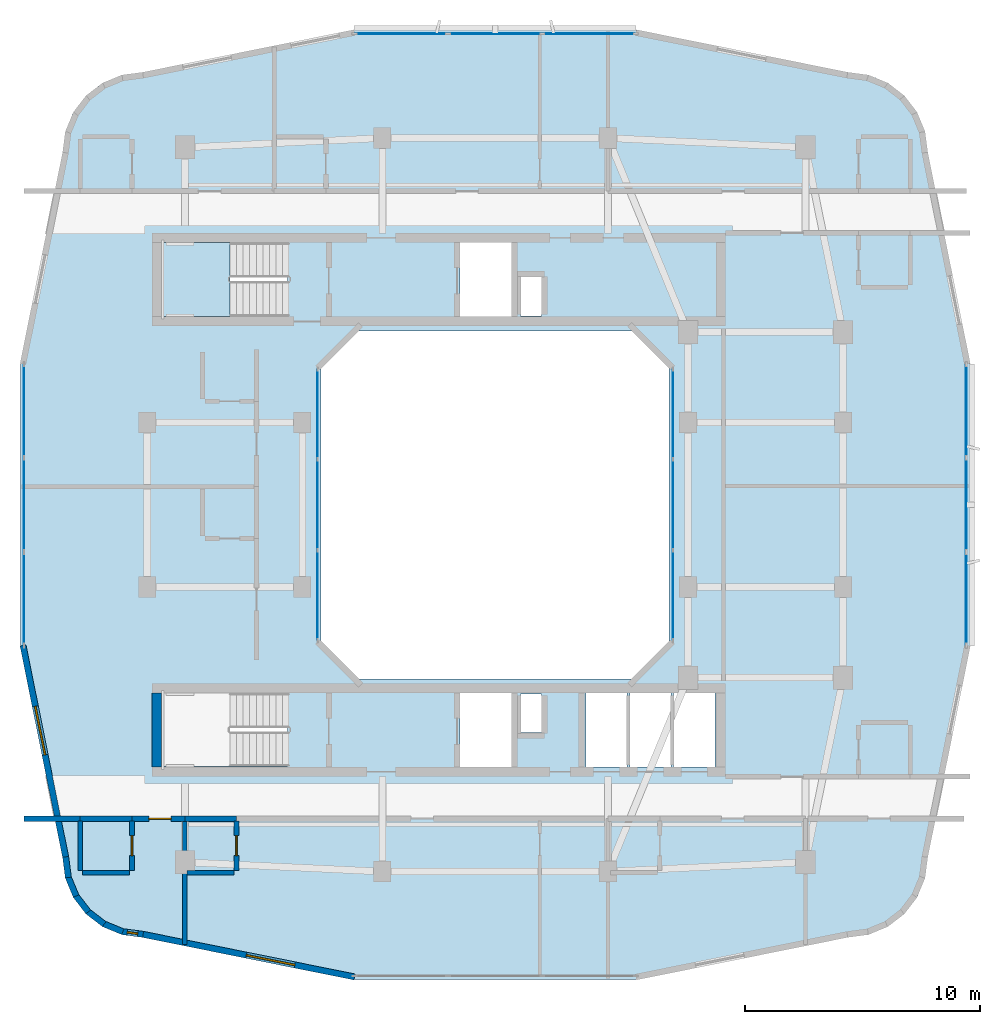
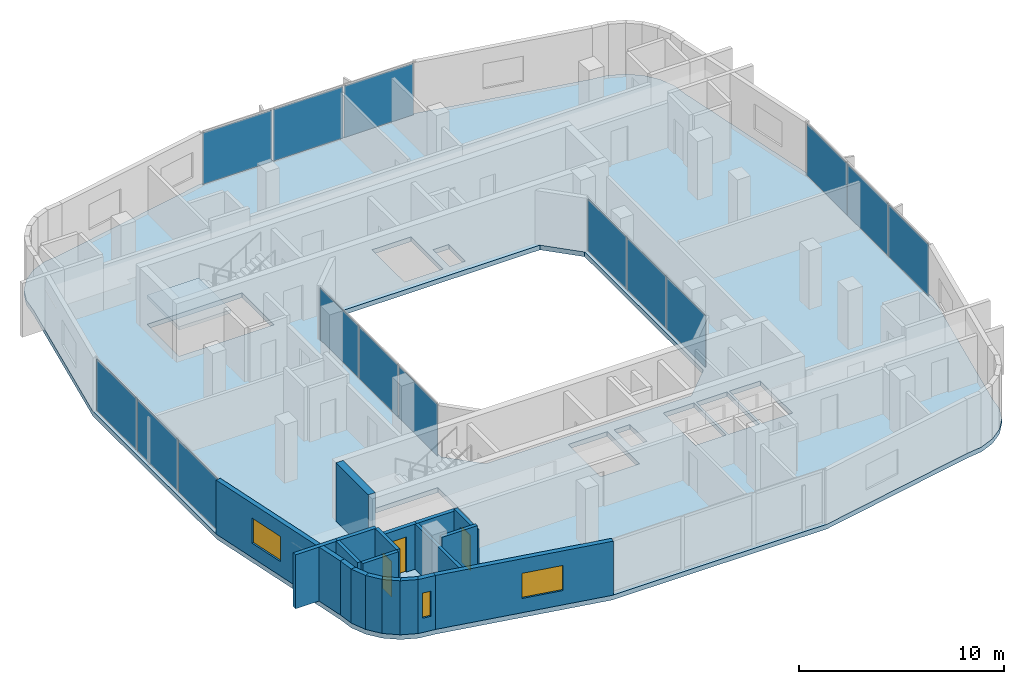
# One storey, part 6 of 14: 19 walls, 15 plates, 3 doors, 3 windows, 2 slabs, 6 openings, 6 elements without a shape of their own.
"""IFC4 building model written with IfcOpenShell, lengths in metres."""

import ifcopenshell
import ifcopenshell.guid

model = None  # the IFC model being written
_history = None  # IfcOwnerHistory: only IFC2X3 demands one
_inside = {}  # id of a spatial element -> (the spatial element, [elements in it])
_under = {}  # id of a project, library or spatial element -> (it, [spatial elements below it])
_declared = {}  # id of a project -> (the project, [libraries it declares])
_typed = {}  # id of a type object -> (the type object, [elements of that type])
_made_of = {}  # id of a material, layer set ... -> (it, [elements and type objects made of it])


def new_model(schema):
    """Start an empty IFC model of exactly this schema.

    Asked for "IFC4X3", IfcOpenShell would pick the latest addendum, in which some entities
    have other attributes; the version numbers below select the first issue.
    IFC2X3 requires an IfcOwnerHistory on every rooted entity: one is made here for all.
    """
    global model, _history
    if schema == "IFC4X3":
        model = ifcopenshell.file(schema_version=(4, 3, 0, 0))
    else:
        model = ifcopenshell.file(schema=schema)
    _inside.clear()
    _under.clear()
    _declared.clear()
    _typed.clear()
    _made_of.clear()
    _history = None
    if model.schema == "IFC2X3":
        org = make("IfcOrganization", Name="unknown")
        user = make(
            "IfcPersonAndOrganization",
            ThePerson=make("IfcPerson", FamilyName="unknown"),
            TheOrganization=org,
        )
        app = make(
            "IfcApplication",
            ApplicationDeveloper=org,
            Version="unknown",
            ApplicationFullName="unknown",
            ApplicationIdentifier="unknown",
        )
        _history = make(
            "IfcOwnerHistory",
            OwningUser=user,
            OwningApplication=app,
            ChangeAction="ADDED",
            CreationDate=0,
        )
    return model


def make(cls, **values):
    """One entity of the class cls with the attributes given. An attribute that is None is left unset."""
    return model.create_entity(
        cls, **{name: value for name, value in values.items() if value is not None}
    )


def rooted(cls, **values):
    """An entity with a GlobalId (a new one), such as an element, a storey or a relation."""
    return make(cls, GlobalId=ifcopenshell.guid.new(), OwnerHistory=_history, **values)


def si_unit(unit_type, name, prefix=None):
    """IfcSIUnit, for example si_unit("LENGTHUNIT", "METRE", prefix="MILLI")."""
    return make("IfcSIUnit", UnitType=unit_type, Prefix=prefix, Name=name)


def derived_unit(unit_type, elements):
    """IfcDerivedUnit: a product of units, each with its exponent."""
    return make(
        "IfcDerivedUnit",
        Elements=[
            make("IfcDerivedUnitElement", Unit=unit, Exponent=power)
            for unit, power in elements
        ],
        UnitType=unit_type,
    )


def assignment(units):
    """IfcUnitAssignment: the units of a project."""
    return None if units is None else make("IfcUnitAssignment", Units=units)


def point(xyz):
    """IfcCartesianPoint."""
    return None if xyz is None else make("IfcCartesianPoint", Coordinates=xyz)


def direction(xyz):
    """IfcDirection."""
    return None if xyz is None else make("IfcDirection", DirectionRatios=xyz)


def frame(location, z_axis=None, x_axis=None):
    """IfcAxis2Placement3D, a coordinate frame: its origin and axes. An axis left out is left unset."""
    return make(
        "IfcAxis2Placement3D",
        Location=point(location),
        Axis=direction(z_axis),
        RefDirection=direction(x_axis),
    )


def frame_2d(location, x_axis=None):
    """IfcAxis2Placement2D, a coordinate frame in the plane: its origin and x axis."""
    return make(
        "IfcAxis2Placement2D", Location=point(location), RefDirection=direction(x_axis)
    )


def origin():
    """The frame at (0, 0, 0) with its axes left unset."""
    return frame((0.0, 0.0, 0.0))


def origin_2d():
    """The frame at (0, 0) in the plane with its x axis left unset."""
    return frame_2d((0.0, 0.0))


def place(relative_to, where):
    """IfcLocalPlacement: puts the frame where relative to a parent placement (None: the world)."""
    return make(
        "IfcLocalPlacement", PlacementRelTo=relative_to, RelativePlacement=where
    )


def context(
    kind, dimensions, precision=None, world=None, true_north=None, identifier=None
):
    """IfcGeometricRepresentationContext, for example the 3D "Model" context."""
    return make(
        "IfcGeometricRepresentationContext",
        ContextIdentifier=identifier,
        ContextType=kind,
        CoordinateSpaceDimension=dimensions,
        Precision=precision,
        WorldCoordinateSystem=world,
        TrueNorth=true_north,
    )


def subcontext(parent, identifier, kind, view, scale=None):
    """IfcGeometricRepresentationSubContext, for example "Body" below "Model"."""
    return make(
        "IfcGeometricRepresentationSubContext",
        ContextIdentifier=identifier,
        ContextType=kind,
        ParentContext=parent,
        TargetScale=scale,
        TargetView=view,
    )


def project(units=None, contexts=None):
    """IfcProject with its units and contexts."""
    return rooted(
        "IfcProject",
        Name="project",
        RepresentationContexts=contexts,
        UnitsInContext=assignment(units),
    )


def spatial(cls, under=None, at=None, **own):
    """A site, building, storey or space (cls), placed at a placement, below another one or the project."""
    s = rooted(cls, ObjectPlacement=at, **own)
    if under is not None:
        _under.setdefault(under.id(), (under, []))[1].append(s)
    return s


def polyline(points):
    """IfcPolyline through the points."""
    return make("IfcPolyline", Points=[point(p) for p in points])


def profile(cls, at=None, kind="AREA", **sizes):
    """A parametric profile (cls). Its sizes go by their IFC names, for example OverallWidth=200.0."""
    return make(cls, ProfileType=kind, Position=at, **sizes)


def rectangle(**sizes):
    """IfcRectangleProfileDef."""
    return profile("IfcRectangleProfileDef", **sizes)


def outline(outer, holes=None, kind="AREA"):
    """IfcArbitraryClosedProfileDef: a profile drawn as a closed curve; with holes, ...WithVoids."""
    if holes is None:
        return make("IfcArbitraryClosedProfileDef", ProfileType=kind, OuterCurve=outer)
    return make(
        "IfcArbitraryProfileDefWithVoids",
        ProfileType=kind,
        OuterCurve=outer,
        InnerCurves=holes,
    )


def extrude(swept, where, along, depth):
    """IfcExtrudedAreaSolid: the profile swept, set in the frame where, extruded along a direction by depth."""
    return make(
        "IfcExtrudedAreaSolid",
        SweptArea=swept,
        Position=where,
        ExtrudedDirection=direction(along),
        Depth=depth,
    )


def shape(context_of_items, identifier, shape_type, items):
    """IfcShapeRepresentation: the items that make up one representation, for example the "Body"."""
    return make(
        "IfcShapeRepresentation",
        ContextOfItems=context_of_items,
        RepresentationIdentifier=identifier,
        RepresentationType=shape_type,
        Items=items,
    )


def material(Name=None, Category=None):
    """IfcMaterial."""
    return make("IfcMaterial", Name=Name, Category=Category)


def layer(
    of_material, thickness, ventilated=None, Name=None, Category=None, Priority=None
):
    """IfcMaterialLayer: one layer of a wall or slab, of a material (None: an air gap)."""
    return make(
        "IfcMaterialLayer",
        Material=of_material,
        LayerThickness=thickness,
        IsVentilated=ventilated,
        Name=Name,
        Category=Category,
        Priority=Priority,
    )


def layer_set(layers, Name=None):
    """IfcMaterialLayerSet."""
    return make("IfcMaterialLayerSet", MaterialLayers=layers, LayerSetName=Name)


def made_of(thing, what):
    """Note that an element or type object is made of a material, layer set ...; save() writes the relation."""
    if what is not None:
        _made_of.setdefault(what.id(), (what, []))[1].append(thing)
    return thing


def type_object(cls, material=None, **own):
    """A type object (cls), such as IfcWallType, which elements share."""
    return made_of(rooted(cls, **own), material)


def element(
    cls,
    number,
    at=None,
    inside=None,
    cuts=None,
    type_object=None,
    material=None,
    context=None,
    identifier="Body",
    shape_type=None,
    held_by="IfcProductDefinitionShape",
    body=None,
    shapes=None,
    **own,
):
    """One element of the class cls, such as IfcWall. Its Tag is "e" and its number.

    at: its placement. inside: the storey or other place that contains it. cuts: it is an
    opening in that element (IfcRelVoidsElement). A single representation is given by context,
    identifier, shape_type and body (its items); several are given by shapes. held_by: the class
    of the entity that holds the representations. save() writes the other relations.
    """
    e = rooted(cls, Tag="e%d" % number, ObjectPlacement=at, **own)
    if body is not None:
        shapes = [shape(context, identifier, shape_type, body)]
    if shapes is not None:
        e.Representation = make(held_by, Representations=shapes)
    if inside is not None:
        _inside.setdefault(inside.id(), (inside, []))[1].append(e)
    if cuts is not None:
        rooted(
            "IfcRelVoidsElement", RelatingBuildingElement=cuts, RelatedOpeningElement=e
        )
    if type_object is not None:
        _typed.setdefault(type_object.id(), (type_object, []))[1].append(e)
    return made_of(e, material)


def fill(opening, filler):
    """IfcRelFillsElement: the door or window that sits in an opening."""
    return rooted(
        "IfcRelFillsElement",
        RelatingOpeningElement=opening,
        RelatedBuildingElement=filler,
    )


def aggregate(whole, parts):
    """IfcRelAggregates: a whole, such as a stair, and the parts it consists of."""
    return rooted("IfcRelAggregates", RelatingObject=whole, RelatedObjects=parts)


def save(model, path):
    """Write the relations noted so far, then the file.

    IfcRelAggregates (storeys below a building ...), IfcRelContainedInSpatialStructure (elements
    in a storey), IfcRelDefinesByType, IfcRelAssociatesMaterial and IfcRelDeclares: one each for
    every whole, place, type object, material and project.
    """
    for whole, parts in _under.values():
        aggregate(whole, parts)
    for where, things in _inside.values():
        rooted(
            "IfcRelContainedInSpatialStructure",
            RelatedElements=things,
            RelatingStructure=where,
        )
    for kind, things in _typed.values():
        rooted("IfcRelDefinesByType", RelatedObjects=things, RelatingType=kind)
    for what, things in _made_of.values():
        rooted("IfcRelAssociatesMaterial", RelatedObjects=things, RelatingMaterial=what)
    for by, libraries in _declared.values():
        rooted("IfcRelDeclares", RelatingContext=by, RelatedDefinitions=libraries)
    model.write(path)


model = new_model("IFC4")

# Units and contexts
model_context = context("Model", 3, precision=1e-05, world=origin(), true_north=direction((0.0, 1.0)))
body_context = subcontext(model_context, "Body", "Model", "MODEL_VIEW")
ifc_project = project(units=[si_unit("LENGTHUNIT", "METRE"), si_unit("AREAUNIT", "SQUARE_METRE"), si_unit("VOLUMEUNIT", "CUBIC_METRE"), si_unit("PLANEANGLEUNIT", "RADIAN"), si_unit("MASSUNIT", "GRAM", prefix="KILO"), derived_unit("THERMALTRANSMITTANCEUNIT", [(si_unit("POWERUNIT", "WATT"), 1), (si_unit("LENGTHUNIT", "METRE"), -2), (si_unit("THERMODYNAMICTEMPERATUREUNIT", "KELVIN"), -1)])], contexts=[model_context])

# Site, building, storey
site_placement = place(None, origin())
site = spatial("IfcSite", under=ifc_project, at=site_placement, CompositionType="ELEMENT")
building_placement = place(site_placement, origin())
building = spatial("IfcBuilding", under=site, at=building_placement, Name="Kivonza Crest Hotel", CompositionType="ELEMENT")
storey_placement = place(building_placement, frame((0.0, 0.0, 138.0)))
storey = spatial("IfcBuildingStorey", under=building, at=storey_placement, Name="L37", CompositionType="ELEMENT", Elevation=138.0)

# Curtain wall, plates
ifc_material_1 = material(Name="Anodised bronze aluminium and low-E double glazing", Category="aluminium")
ifc_layer_1 = layer(ifc_material_1, 0.159912109375)
ifc_layer_set_1 = layer_set([ifc_layer_1], Name="Anodised bronze aluminium and low-E double glazing")
curtain_wall_type_1 = type_object("IfcCurtainWallType", Name="CW-SYS-5", PredefinedType="NOTDEFINED", material=ifc_layer_set_1)
curtain_wall_1_placement = place(storey_placement, origin())
curtain_wall_1 = element("IfcCurtainWall", 1, at=curtain_wall_1_placement, inside=storey, type_object=curtain_wall_type_1, Name="L37 unitised curtain wall CW-WELL-T1-L37-3", PredefinedType="NOTDEFINED")
ifc_material_2 = material(Name="Solar-control low-E double glazing", Category="glass")
ifc_layer_2 = layer(ifc_material_2, 0.028076171875)
ifc_layer_set_2 = layer_set([ifc_layer_2], Name="Solar-control low-E double glazing")
plate_type_1 = type_object("IfcPlateType", Name="CW-PNL-28", PredefinedType="CURTAIN_PANEL", material=ifc_layer_set_2)
plate_1_placement = place(storey_placement, frame((28.56005859375, 21.149658203125, 0.06494140625), z_axis=(0.0, 0.0, 1.0), x_axis=(0.0, 1.0, 0.0)))
plate_1 = element("IfcPlate", 2, at=plate_1_placement, type_object=plate_type_1, Name="CW-5 panel 1.1", PredefinedType="CURTAIN_PANEL", context=body_context, shape_type="SweptSolid", body=[
    extrude(rectangle(XDim=3.769287109375, YDim=0.028076171875, at=origin_2d()), origin(), (0.0, 0.0, 1.0), 3.090087890625),
])
plate_2_placement = place(storey_placement, frame((28.56005859375, 25.0, 0.06494140625), z_axis=(0.0, 0.0, 1.0), x_axis=(0.0, 1.0, 0.0)))
plate_2 = element("IfcPlate", 3, at=plate_2_placement, type_object=plate_type_1, Name="CW-5 panel 2.1", PredefinedType="CURTAIN_PANEL", context=body_context, shape_type="SweptSolid", body=[
    extrude(rectangle(XDim=3.8017578125, YDim=0.028076171875, at=origin_2d()), origin(), (0.0, 0.0, 1.0), 3.090087890625),
])
plate_3_placement = place(storey_placement, frame((28.56005859375, 28.850341796875, 0.06494140625), z_axis=(0.0, 0.0, 1.0), x_axis=(0.0, 1.0, 0.0)))
plate_3 = element("IfcPlate", 4, at=plate_3_placement, type_object=plate_type_1, Name="CW-5 panel 3.1", PredefinedType="CURTAIN_PANEL", context=body_context, shape_type="SweptSolid", body=[
    extrude(rectangle(XDim=3.769287109375, YDim=0.028076171875, at=origin_2d()), origin(), (0.0, 0.0, 1.0), 3.090087890625),
])
aggregate(curtain_wall_1, [plate_1, plate_2, plate_3])

curtain_wall_2_placement = place(storey_placement, origin())
curtain_wall_2 = element("IfcCurtainWall", 5, at=curtain_wall_2_placement, inside=storey, type_object=curtain_wall_type_1, Name="L37 unitised curtain wall CW-WELL-T1-L37-7", PredefinedType="NOTDEFINED")
plate_4_placement = place(storey_placement, frame((13.43994140625, 28.850341796875, 0.06494140625), z_axis=(0.0, 0.0, 1.0), x_axis=(0.0, -1.0, 0.0)))
plate_4 = element("IfcPlate", 6, at=plate_4_placement, type_object=plate_type_1, Name="CW-5 panel 1.1", PredefinedType="CURTAIN_PANEL", context=body_context, shape_type="SweptSolid", body=[
    extrude(rectangle(XDim=3.769287109375, YDim=0.028076171875, at=origin_2d()), origin(), (0.0, 0.0, 1.0), 3.090087890625),
])
plate_5_placement = place(storey_placement, frame((13.43994140625, 25.0, 0.06494140625), z_axis=(0.0, 0.0, 1.0), x_axis=(0.0, -1.0, 0.0)))
plate_5 = element("IfcPlate", 7, at=plate_5_placement, type_object=plate_type_1, Name="CW-5 panel 2.1", PredefinedType="CURTAIN_PANEL", context=body_context, shape_type="SweptSolid", body=[
    extrude(rectangle(XDim=3.8017578125, YDim=0.028076171875, at=origin_2d()), origin(), (0.0, 0.0, 1.0), 3.090087890625),
])
plate_6_placement = place(storey_placement, frame((13.43994140625, 21.149658203125, 0.06494140625), z_axis=(0.0, 0.0, 1.0), x_axis=(0.0, -1.0, 0.0)))
plate_6 = element("IfcPlate", 8, at=plate_6_placement, type_object=plate_type_1, Name="CW-5 panel 3.1", PredefinedType="CURTAIN_PANEL", context=body_context, shape_type="SweptSolid", body=[
    extrude(rectangle(XDim=3.769287109375, YDim=0.028076171875, at=origin_2d()), origin(), (0.0, 0.0, 1.0), 3.090087890625),
])
aggregate(curtain_wall_2, [plate_4, plate_5, plate_6])

ifc_layer_3 = layer(ifc_material_1, 0.179931640625)
ifc_layer_set_3 = layer_set([ifc_layer_3], Name="Anodised bronze aluminium and low-E double glazing")
curtain_wall_type_2 = type_object("IfcCurtainWallType", Name="CW-SYS-3", PredefinedType="NOTDEFINED", material=ifc_layer_set_3)
curtain_wall_3_placement = place(storey_placement, origin())
curtain_wall_3 = element("IfcCurtainWall", 9, at=curtain_wall_3_placement, inside=storey, type_object=curtain_wall_type_2, Name="L37 unitised curtain wall CW-T1-L37-17", PredefinedType="NOTDEFINED")
ifc_material_3 = material(Name="Acoustic triple-laminated low-E glazing", Category="glass")
ifc_layer_4 = layer(ifc_material_3, 0.035888671875)
ifc_layer_set_4 = layer_set([ifc_layer_4], Name="Acoustic triple-laminated low-E glazing")
plate_type_2 = type_object("IfcPlateType", Name="CW-PNL-36", PredefinedType="CURTAIN_PANEL", material=ifc_layer_set_4)
plate_7_placement = place(storey_placement, frame((41.0400390625, 21.00537109375, 0.0751953125), z_axis=(0.0, 0.0, 1.0), x_axis=(0.0, 1.0, 0.0)))
plate_7 = element("IfcPlate", 10, at=plate_7_placement, type_object=plate_type_2, Name="CW-3 panel 1.1", PredefinedType="CURTAIN_PANEL", context=body_context, shape_type="SweptSolid", body=[
    extrude(rectangle(XDim=3.90087890625, YDim=0.035888671875, at=origin_2d()), origin(), (0.0, 0.0, 1.0), 3.070068359375),
])
plate_8_placement = place(storey_placement, frame((41.0400390625, 25.0, 0.0751953125), z_axis=(0.0, 0.0, 1.0), x_axis=(0.0, 1.0, 0.0)))
plate_8 = element("IfcPlate", 11, at=plate_8_placement, type_object=plate_type_2, Name="CW-3 panel 2.1", PredefinedType="CURTAIN_PANEL", context=body_context, shape_type="SweptSolid", body=[
    extrude(rectangle(XDim=3.938232421875, YDim=0.035888671875, at=origin_2d()), origin(), (0.0, 0.0, 1.0), 3.070068359375),
])
plate_9_placement = place(storey_placement, frame((41.0400390625, 28.99462890625, 0.0751953125), z_axis=(0.0, 0.0, 1.0), x_axis=(0.0, 1.0, 0.0)))
plate_9 = element("IfcPlate", 12, at=plate_9_placement, type_object=plate_type_2, Name="CW-3 panel 3.1", PredefinedType="CURTAIN_PANEL", context=body_context, shape_type="SweptSolid", body=[
    extrude(rectangle(XDim=3.90087890625, YDim=0.035888671875, at=origin_2d()), origin(), (0.0, 0.0, 1.0), 3.070068359375),
])
aggregate(curtain_wall_3, [plate_7, plate_8, plate_9])

curtain_wall_4_placement = place(storey_placement, origin())
curtain_wall_4 = element("IfcCurtainWall", 13, at=curtain_wall_4_placement, inside=storey, type_object=curtain_wall_type_2, Name="L37 unitised curtain wall CW-T1-L37-26", PredefinedType="NOTDEFINED")
plate_10_placement = place(storey_placement, frame((24.99462890625, 45.0400390625, 0.0751953125), z_axis=(0.0, 0.0, 1.0), x_axis=(-1.0, 0.0, 0.0)))
plate_10 = element("IfcPlate", 14, at=plate_10_placement, type_object=plate_type_2, Name="CW-3 panel 1.1", PredefinedType="CURTAIN_PANEL", context=body_context, shape_type="SweptSolid", body=[
    extrude(rectangle(XDim=3.90087890625, YDim=0.035888671875, at=origin_2d()), origin(), (0.0, 0.0, 1.0), 3.070068359375),
])
plate_11_placement = place(storey_placement, frame((21.0, 45.0400390625, 0.0751953125), z_axis=(0.0, 0.0, 1.0), x_axis=(-1.0, 0.0, 0.0)))
plate_11 = element("IfcPlate", 15, at=plate_11_placement, type_object=plate_type_2, Name="CW-3 panel 2.1", PredefinedType="CURTAIN_PANEL", context=body_context, shape_type="SweptSolid", body=[
    extrude(rectangle(XDim=3.938232421875, YDim=0.035888671875, at=origin_2d()), origin(), (0.0, 0.0, 1.0), 3.070068359375),
])
plate_12_placement = place(storey_placement, frame((17.00537109375, 45.0400390625, 0.0751953125), z_axis=(0.0, 0.0, 1.0), x_axis=(-1.0, 0.0, 0.0)))
plate_12 = element("IfcPlate", 16, at=plate_12_placement, type_object=plate_type_2, Name="CW-3 panel 3.1", PredefinedType="CURTAIN_PANEL", context=body_context, shape_type="SweptSolid", body=[
    extrude(rectangle(XDim=3.90087890625, YDim=0.035888671875, at=origin_2d()), origin(), (0.0, 0.0, 1.0), 3.070068359375),
])
aggregate(curtain_wall_4, [plate_10, plate_11, plate_12])

curtain_wall_5_placement = place(storey_placement, origin())
curtain_wall_5 = element("IfcCurtainWall", 17, at=curtain_wall_5_placement, inside=storey, type_object=curtain_wall_type_2, Name="L37 unitised curtain wall CW-T1-L37-35", PredefinedType="NOTDEFINED")
plate_13_placement = place(storey_placement, frame((0.9599609375, 28.99462890625, 0.0751953125), z_axis=(0.0, 0.0, 1.0), x_axis=(0.0, -1.0, 0.0)))
plate_13 = element("IfcPlate", 18, at=plate_13_placement, type_object=plate_type_2, Name="CW-3 panel 1.1", PredefinedType="CURTAIN_PANEL", context=body_context, shape_type="SweptSolid", body=[
    extrude(rectangle(XDim=3.90087890625, YDim=0.035888671875, at=origin_2d()), origin(), (0.0, 0.0, 1.0), 3.070068359375),
])
plate_14_placement = place(storey_placement, frame((0.9599609375, 25.0, 0.0751953125), z_axis=(0.0, 0.0, 1.0), x_axis=(0.0, -1.0, 0.0)))
plate_14 = element("IfcPlate", 19, at=plate_14_placement, type_object=plate_type_2, Name="CW-3 panel 2.1", PredefinedType="CURTAIN_PANEL", context=body_context, shape_type="SweptSolid", body=[
    extrude(rectangle(XDim=3.938232421875, YDim=0.035888671875, at=origin_2d()), origin(), (0.0, 0.0, 1.0), 3.070068359375),
])
plate_15_placement = place(storey_placement, frame((0.9599609375, 21.00537109375, 0.0751953125), z_axis=(0.0, 0.0, 1.0), x_axis=(0.0, -1.0, 0.0)))
plate_15 = element("IfcPlate", 20, at=plate_15_placement, type_object=plate_type_2, Name="CW-3 panel 3.1", PredefinedType="CURTAIN_PANEL", context=body_context, shape_type="SweptSolid", body=[
    extrude(rectangle(XDim=3.90087890625, YDim=0.035888671875, at=origin_2d()), origin(), (0.0, 0.0, 1.0), 3.070068359375),
])
aggregate(curtain_wall_5, [plate_13, plate_14, plate_15])

# Slab
ifc_material_4 = material(Name="Concrete C40/50", Category="concrete")
ifc_layer_5 = layer(ifc_material_4, 0.280029296875)
ifc_layer_set_5 = layer_set([ifc_layer_5], Name="Concrete C40/50")
slab_type_1 = type_object("IfcSlabType", Name="SL-HTL-280", PredefinedType="FLOOR", material=ifc_layer_set_5)
slab_1_placement = place(storey_placement, frame((0.0, 0.0, -0.280029296875)))
element("IfcSlab", 21, at=slab_1_placement, inside=storey, type_object=slab_type_1, Name="Tower T1 L37 floor slab", PredefinedType="FLOOR", context=body_context, shape_type="SweptSolid", body=[
    extrude(outline(polyline([(2.60009765625, 10.0), (2.716064453125, 9.1201171875), (3.055908203125, 8.300048828125), (3.595947265625, 7.595947265625), (4.300048828125, 7.055908203125), (5.1201171875, 6.716064453125), (6.0, 6.60009765625), (14.93994140625, 4.800048828125), (27.06005859375, 4.800048828125), (36.0, 6.60009765625), (36.8798828125, 6.716064453125), (37.699951171875, 7.055908203125), (38.404052734375, 7.595947265625), (38.944091796875, 8.300048828125), (39.283935546875, 9.1201171875), (39.39990234375, 10.0), (41.199951171875, 18.93994140625), (41.199951171875, 31.06005859375), (39.39990234375, 40.0), (39.283935546875, 40.8798828125), (38.944091796875, 41.699951171875), (38.404052734375, 42.404052734375), (37.699951171875, 42.944091796875), (36.8798828125, 43.283935546875), (36.0, 43.39990234375), (27.06005859375, 45.199951171875), (14.93994140625, 45.199951171875), (6.0, 43.39990234375), (5.1201171875, 43.283935546875), (4.300048828125, 42.944091796875), (3.595947265625, 42.404052734375), (3.055908203125, 41.699951171875), (2.716064453125, 40.8798828125), (2.60009765625, 40.0), (0.800048828125, 31.06005859375), (0.800048828125, 18.93994140625), (2.60009765625, 10.0)]), holes=[polyline([(15.199951171875, 17.60009765625), (26.800048828125, 17.60009765625), (28.39990234375, 19.199951171875), (28.39990234375, 30.800048828125), (26.800048828125, 32.39990234375), (15.199951171875, 32.39990234375), (13.60009765625, 30.800048828125), (13.60009765625, 19.199951171875), (15.199951171875, 17.60009765625)]), polyline([(6.800048828125, 33.02001953125), (12.159912109375, 33.02001953125), (12.159912109375, 36.159912109375), (6.800048828125, 36.159912109375), (6.800048828125, 33.02001953125)]), polyline([(6.800048828125, 13.860107421875), (12.159912109375, 13.860107421875), (12.159912109375, 17.0), (6.800048828125, 17.0), (6.800048828125, 13.860107421875)]), polyline([(22.080078125, 33.0400390625), (22.969970703125, 33.0400390625), (22.969970703125, 34.679931640625), (22.080078125, 34.679931640625), (22.080078125, 33.0400390625)]), polyline([(22.080078125, 15.320068359375), (22.969970703125, 15.320068359375), (22.969970703125, 16.9599609375), (22.080078125, 16.9599609375), (22.080078125, 15.320068359375)]), polyline([(19.5, 33.0), (21.699951171875, 33.0), (21.699951171875, 36.159912109375), (19.5, 36.159912109375), (19.5, 33.0)]), polyline([(19.5, 13.840087890625), (21.699951171875, 13.840087890625), (21.699951171875, 17.0), (19.5, 17.0), (19.5, 13.840087890625)]), polyline([(24.860107421875, 13.840087890625), (26.60693359375, 13.840087890625), (26.60693359375, 17.0), (24.860107421875, 17.0), (24.860107421875, 13.840087890625)]), polyline([(26.72705078125, 13.840087890625), (28.472900390625, 13.840087890625), (28.472900390625, 17.0), (26.72705078125, 17.0), (26.72705078125, 13.840087890625)]), polyline([(28.593017578125, 13.840087890625), (30.340087890625, 13.840087890625), (30.340087890625, 17.0), (28.593017578125, 17.0), (28.593017578125, 13.840087890625)])]), origin(), (0.0, 0.0, 1.0), 0.280029296875),
])

# Stair, slab
stair_type = type_object("IfcStairType", Name="ST-DL-20R", PredefinedType="HALF_TURN_STAIR", material=ifc_material_4)
stair_placement = place(storey_placement, origin())
stair = element("IfcStair", 22, at=stair_placement, inside=storey, type_object=stair_type, Name="L37 Protected Exit Stair ST-T1-N", PredefinedType="HALF_TURN_STAIR")
ifc_layer_6 = layer(ifc_material_4, 0.199951171875)
ifc_layer_set_6 = layer_set([ifc_layer_6], Name="Concrete C40/50")
slab_type_2 = type_object("IfcSlabType", Name="SL-LAND-200", PredefinedType="LANDING", material=ifc_layer_set_6)
slab_2_placement = place(storey_placement, frame((0.0, 0.0, 1.550048828125)))
slab_2 = element("IfcSlab", 23, at=slab_2_placement, type_object=slab_type_2, Name="ST-T1-N landing 1", PredefinedType="LANDING", context=body_context, shape_type="SweptSolid", body=[
    extrude(outline(polyline([(9.719970703125, 36.159912109375), (6.800048828125, 36.159912109375), (6.800048828125, 33.02001953125), (9.719970703125, 33.02001953125), (9.719970703125, 36.159912109375)])), origin(), (0.0, 0.0, 1.0), 0.199951171875),
])
aggregate(stair, [slab_2])

# Walls
ifc_material_5 = material(Name="High-density acoustic masonry inter-tenancy wall", Category="masonry")
ifc_layer_7 = layer(ifc_material_5, 0.179931640625)
ifc_layer_set_7 = layer_set([ifc_layer_7], Name="High-density acoustic masonry inter-tenancy wall")
wall_type_1 = type_object("IfcWallType", Name="WL-ACOU-180", PredefinedType="SOLIDWALL", material=ifc_layer_set_7)
wall_1_placement = place(storey_placement, frame((7.800048828125, 6.299072265625, 0.0), z_axis=(0.0, 0.0, 1.0), x_axis=(0.0, 1.0, 0.0)))
element("IfcWall", 24, at=wall_1_placement, inside=storey, type_object=wall_type_1, Name="L37 interior partition WA-L37-T1S-DIV1", PredefinedType="SOLIDWALL", context=body_context, shape_type="SweptSolid", body=[
    extrude(rectangle(XDim=5.350830078125, YDim=0.179931640625, at=frame_2d((2.67529296875, 0.0))), origin(), (0.0, 0.0, 1.0), 2.695068359375),
])
ifc_material_6 = material(Name="Autoclaved aerated concrete blockwork", Category="masonry")
ifc_layer_8 = layer(ifc_material_6, 0.219970703125)
ifc_layer_set_8 = layer_set([ifc_layer_8], Name="Autoclaved aerated concrete blockwork")
wall_type_2 = type_object("IfcWallType", Name="WL-ACOU-220", PredefinedType="SOLIDWALL", material=ifc_layer_set_8)
wall_2_placement = place(storey_placement, frame((0.9599609375, 11.64990234375, 0.0), z_axis=(0.0, 0.0, 1.0), x_axis=(1.0, 0.0, 0.0)))
element("IfcWall", 25, at=wall_2_placement, inside=storey, type_object=wall_type_2, Name="L37 interior partition WA-L37-S04-XCORR", PredefinedType="SOLIDWALL", context=body_context, shape_type="SweptSolid", body=[
    extrude(rectangle(XDim=2.39013671875, YDim=0.219970703125, at=frame_2d((1.195068359375, 0.0))), origin(), (0.0, 0.0, 1.0), 3.219970703125),
])
wall_3_placement = place(storey_placement, frame((3.35009765625, 11.64990234375, 0.0), z_axis=(0.0, 0.0, 1.0), x_axis=(1.0, 0.0, 0.0)))
element("IfcWall", 26, at=wall_3_placement, inside=storey, type_object=wall_type_2, Name="L37 interior partition WA-L37-S04-BCORR", PredefinedType="SOLIDWALL", context=body_context, shape_type="SweptSolid", body=[
    extrude(rectangle(XDim=2.199951171875, YDim=0.219970703125, at=frame_2d((1.10009765625, 0.0))), origin(), (0.0, 0.0, 1.0), 3.219970703125),
])

# Wall, opening, door
wall_4_placement = place(storey_placement, frame((5.550048828125, 11.64990234375, 0.0), z_axis=(0.0, 0.0, 1.0), x_axis=(1.0, 0.0, 0.0)))
wall_4 = element("IfcWall", 27, at=wall_4_placement, inside=storey, type_object=wall_type_2, Name="L37 interior partition WA-L37-S04-MCORR", PredefinedType="SOLIDWALL", context=body_context, shape_type="SweptSolid", body=[
    extrude(rectangle(XDim=2.25, YDim=0.219970703125, at=frame_2d((1.125, 0.0))), origin(), (0.0, 0.0, 1.0), 2.695068359375),
])
opening_1_placement = place(wall_4_placement, frame((0.719970703125, 0.0, 0.0)))
opening_1 = element("IfcOpeningElement", 28, at=opening_1_placement, cuts=wall_4, Name="Opening DU-60", PredefinedType="OPENING", context=body_context, shape_type="SweptSolid", body=[
    extrude(rectangle(XDim=0.949951171875, YDim=2.10009765625, at=frame_2d((0.47509765625, 1.050048828125))), frame((0.0, 0.1201171875, 0.0), z_axis=(0.0, -1.0, 0.0), x_axis=(1.0, 0.0, 0.0)), (0.0, 0.0, 1.0), 0.239990234375),
])
ifc_material_7 = material(Name="Hardwood timber oak", Category="wood")
door_type_1 = type_object("IfcDoorType", Name="DR-UNIT-950", OperationType="NOTDEFINED", PredefinedType="DOOR", material=ifc_material_7)
door_1_placement = place(opening_1_placement, frame((0.949951171875, 0.0, 0.0), z_axis=(0.0, 0.0, 1.0), x_axis=(-1.0, 0.0, 0.0)))
door_1 = element("IfcDoor", 29, at=door_1_placement, inside=storey, type_object=door_type_1, Name="L37 S04 guest unit entrance fire door", OperationType="SINGLE_SWING_RIGHT", OverallHeight=2.10009765625, OverallWidth=0.949951171875, PredefinedType="DOOR", context=body_context, shape_type="SweptSolid", body=[
    extrude(rectangle(XDim=0.949951171875, YDim=2.10009765625, at=frame_2d((0.47509765625, 1.050048828125))), frame((0.0, 0.02490234375, 0.0), z_axis=(0.0, -1.0, 0.0), x_axis=(1.0, 0.0, 0.0)), (0.0, 0.0, 1.0), 0.050048828125),
])
fill(opening_1, door_1)

# Walls
wall_5_placement = place(storey_placement, frame((7.800048828125, 11.64990234375, 0.0), z_axis=(0.0, 0.0, 1.0), x_axis=(1.0, 0.0, 0.0)))
element("IfcWall", 30, at=wall_5_placement, inside=storey, type_object=wall_type_2, Name="L37 interior partition WA-L37-S05-BCORR", PredefinedType="SOLIDWALL", context=body_context, shape_type="SweptSolid", body=[
    extrude(rectangle(XDim=2.199951171875, YDim=0.219970703125, at=frame_2d((1.10009765625, 0.0))), origin(), (0.0, 0.0, 1.0), 2.695068359375),
])
ifc_material_8 = material(Name="Concrete C50/60", Category="concrete")
ifc_layer_9 = layer(ifc_material_8, 0.39990234375)
ifc_layer_set_9 = layer_set([ifc_layer_9], Name="Concrete C50/60")
wall_type_3 = type_object("IfcWallType", Name="WL-CORE-400", PredefinedType="SHEAR", material=ifc_layer_set_9)
wall_6_placement = place(storey_placement, frame((6.60009765625, 13.840087890625, 0.0), z_axis=(0.0, 0.0, 1.0), x_axis=(0.0, 1.0, 0.0)))
element("IfcWall", 31, at=wall_6_placement, inside=storey, type_object=wall_type_3, Name="Core wall T1-S West L37", PredefinedType="SHEAR", context=body_context, shape_type="SweptSolid", body=[
    extrude(rectangle(XDim=3.159912109375, YDim=0.39990234375, at=frame_2d((1.580078125, 0.0))), origin(), (0.0, 0.0, 1.0), 3.5),
])
ifc_material_9 = material(Name="Precast concrete C40/50", Category="concrete")
ifc_layer_10 = layer(ifc_material_9, 0.260009765625)
ifc_layer_set_10 = layer_set([ifc_layer_10], Name="Precast concrete C40/50")
wall_type_4 = type_object("IfcWallType", Name="WL-EXT-260", PredefinedType="STANDARD", material=ifc_layer_set_10)
wall_7_placement = place(storey_placement, frame((2.72802734375, 10.02490234375, 0.0), z_axis=(0.0, 0.0, 1.0), x_axis=(0.130953706898, -0.991388484223, 0.0)))
element("IfcWall", 32, at=wall_7_placement, inside=storey, type_object=wall_type_4, Name="L37 T1 exterior insulated wall 1", PredefinedType="STANDARD", context=body_context, shape_type="SweptSolid", body=[
    extrude(rectangle(XDim=0.885498046875, YDim=0.260009765625, at=frame_2d((0.44287109375, 0.0))), origin(), (0.0, 0.0, 1.0), 3.219970703125),
])
wall_8_placement = place(storey_placement, frame((2.825927734375, 9.193115234375, 0.0), z_axis=(0.0, 0.0, 1.0), x_axis=(0.383290660547, -0.923627776508, 0.0)))
element("IfcWall", 33, at=wall_8_placement, inside=storey, type_object=wall_type_4, Name="L37 T1 exterior insulated wall 2", PredefinedType="STANDARD", context=body_context, shape_type="SweptSolid", body=[
    extrude(rectangle(XDim=0.9033203125, YDim=0.260009765625, at=frame_2d((0.45166015625, 0.0))), origin(), (0.0, 0.0, 1.0), 3.219970703125),
])
wall_9_placement = place(storey_placement, frame((3.14404296875, 8.39892578125, 0.0), z_axis=(0.0, 0.0, 1.0), x_axis=(0.608624690463, -0.793458244748, 0.0)))
element("IfcWall", 34, at=wall_9_placement, inside=storey, type_object=wall_type_4, Name="L37 T1 exterior insulated wall 3", PredefinedType="STANDARD", context=body_context, shape_type="SweptSolid", body=[
    extrude(rectangle(XDim=0.902099609375, YDim=0.260009765625, at=frame_2d((0.451171875, 0.0))), origin(), (0.0, 0.0, 1.0), 3.219970703125),
])
wall_10_placement = place(storey_placement, frame((3.655029296875, 7.714111328125, 0.0), z_axis=(0.0, 0.0, 1.0), x_axis=(0.793558456666, -0.608494022858, 0.0)))
element("IfcWall", 35, at=wall_10_placement, inside=storey, type_object=wall_type_4, Name="L37 T1 exterior insulated wall 4", PredefinedType="STANDARD", context=body_context, shape_type="SweptSolid", body=[
    extrude(rectangle(XDim=0.90234375, YDim=0.260009765625, at=frame_2d((0.451171875, 0.0))), origin(), (0.0, 0.0, 1.0), 3.219970703125),
])
wall_11_placement = place(storey_placement, frame((4.326904296875, 7.18603515625, 0.0), z_axis=(0.0, 0.0, 1.0), x_axis=(0.923683767999, -0.383155708213, 0.0)))
element("IfcWall", 36, at=wall_11_placement, inside=storey, type_object=wall_type_4, Name="L37 T1 exterior insulated wall 5", PredefinedType="STANDARD", context=body_context, shape_type="SweptSolid", body=[
    extrude(rectangle(XDim=0.90283203125, YDim=0.260009765625, at=frame_2d((0.451416015625, 0.0))), origin(), (0.0, 0.0, 1.0), 3.219970703125),
])

# Wall, opening, window
wall_12_placement = place(storey_placement, frame((5.112060546875, 6.847900390625, 0.0), z_axis=(0.0, 0.0, 1.0), x_axis=(0.991487658083, -0.130200706103, 0.0)))
wall_12 = element("IfcWall", 37, at=wall_12_placement, inside=storey, type_object=wall_type_4, Name="L37 T1 exterior insulated wall 6", PredefinedType="STANDARD", context=body_context, shape_type="SweptSolid", body=[
    extrude(rectangle(XDim=0.920654296875, YDim=0.260009765625, at=frame_2d((0.46044921875, 0.0))), origin(), (0.0, 0.0, 1.0), 3.219970703125),
])
opening_2_placement = place(wall_12_placement, frame((0.235107421875, 0.0, 0.85009765625)))
opening_2 = element("IfcOpeningElement", 38, at=opening_2_placement, cuts=wall_12, Name="Opening WN-11", PredefinedType="OPENING", context=body_context, shape_type="SweptSolid", body=[
    extrude(rectangle(XDim=0.449951171875, YDim=1.5, at=frame_2d((0.22509765625, 0.75))), frame((0.0, 0.14013671875, 0.0), z_axis=(0.0, -1.0, 0.0), x_axis=(1.0, 0.0, 0.0)), (0.0, 0.0, 1.0), 0.280029296875),
])
ifc_material_10 = material(Name="Thermally broken bronze aluminium and low-E double glazing", Category="aluminium")
window_type_1 = type_object("IfcWindowType", Name="WN-045x150", PartitioningType="SINGLE_PANEL", PredefinedType="WINDOW", material=ifc_material_10)
window_1_placement = place(opening_2_placement, origin())
window_1 = element("IfcWindow", 39, at=window_1_placement, inside=storey, type_object=window_type_1, Name="L37 corner vision window 1", OverallHeight=1.5, OverallWidth=0.449951171875, PartitioningType="SINGLE_PANEL", PredefinedType="WINDOW", context=body_context, shape_type="SweptSolid", body=[
    extrude(rectangle(XDim=0.449951171875, YDim=1.5, at=frame_2d((0.22509765625, 0.75))), frame((0.0, 0.030029296875, 0.0), z_axis=(0.0, -1.0, 0.0), x_axis=(1.0, 0.0, 0.0)), (0.0, 0.0, 1.0), 0.06005859375),
])
fill(opening_2, window_1)

wall_13_placement = place(storey_placement, frame((6.01806640625, 6.72900390625, 0.0), z_axis=(0.0, 0.0, 1.0), x_axis=(0.980315963543, -0.197435082048, 0.0)))
wall_13 = element("IfcWall", 40, at=wall_13_placement, inside=storey, type_object=wall_type_4, Name="L37 T1 exterior insulated wall 7", PredefinedType="STANDARD", context=body_context, shape_type="SweptSolid", body=[
    extrude(rectangle(XDim=9.1826171875, YDim=0.260009765625, at=frame_2d((4.59130859375, 0.0))), origin(), (0.0, 0.0, 1.0), 3.219970703125),
])
opening_3_placement = place(wall_13_placement, frame((4.487060546875, 0.0, 0.85009765625)))
opening_3 = element("IfcOpeningElement", 41, at=opening_3_placement, cuts=wall_13, Name="Opening WN-04", PredefinedType="OPENING", context=body_context, shape_type="SweptSolid", body=[
    extrude(rectangle(XDim=2.10009765625, YDim=1.5, at=frame_2d((1.050048828125, 0.75))), frame((0.0, 0.14013671875, 0.0), z_axis=(0.0, -1.0, 0.0), x_axis=(1.0, 0.0, 0.0)), (0.0, 0.0, 1.0), 0.280029296875),
])
window_type_2 = type_object("IfcWindowType", Name="WN-210x150", PartitioningType="DOUBLE_PANEL_VERTICAL", PredefinedType="WINDOW", material=ifc_material_10)
window_2_placement = place(opening_3_placement, origin())
window_2 = element("IfcWindow", 42, at=window_2_placement, inside=storey, type_object=window_type_2, Name="L37 T1 facade window 7", OverallHeight=1.5, OverallWidth=2.10009765625, PartitioningType="SINGLE_PANEL", PredefinedType="WINDOW", context=body_context, shape_type="SweptSolid", body=[
    extrude(rectangle(XDim=2.10009765625, YDim=1.5, at=frame_2d((1.050048828125, 0.75))), frame((0.0, 0.030029296875, 0.0), z_axis=(0.0, -1.0, 0.0), x_axis=(1.0, 0.0, 0.0)), (0.0, 0.0, 1.0), 0.06005859375),
])
fill(opening_3, window_2)

wall_14_placement = place(storey_placement, frame((0.916015625, 19.02001953125, 0.0), z_axis=(0.0, 0.0, 1.0), x_axis=(0.197435082048, -0.980315963543, 0.0)))
wall_14 = element("IfcWall", 43, at=wall_14_placement, inside=storey, type_object=wall_type_4, Name="L37 T1 exterior insulated wall 36", PredefinedType="STANDARD", context=body_context, shape_type="SweptSolid", body=[
    extrude(rectangle(XDim=9.1826171875, YDim=0.260009765625, at=frame_2d((4.59130859375, 0.0))), origin(), (0.0, 0.0, 1.0), 3.219970703125),
])
opening_4_placement = place(wall_14_placement, frame((2.64697265625, 0.0, 0.85009765625)))
opening_4 = element("IfcOpeningElement", 44, at=opening_4_placement, cuts=wall_14, Name="Opening WN-04", PredefinedType="OPENING", context=body_context, shape_type="SweptSolid", body=[
    extrude(rectangle(XDim=2.10009765625, YDim=1.5, at=frame_2d((1.050048828125, 0.75))), frame((0.0, 0.14013671875, 0.0), z_axis=(0.0, -1.0, 0.0), x_axis=(1.0, 0.0, 0.0)), (0.0, 0.0, 1.0), 0.280029296875),
])
window_3_placement = place(opening_4_placement, origin())
window_3 = element("IfcWindow", 45, at=window_3_placement, inside=storey, type_object=window_type_2, Name="L37 T1 facade window 36", OverallHeight=1.5, OverallWidth=2.10009765625, PartitioningType="SINGLE_PANEL", PredefinedType="WINDOW", context=body_context, shape_type="SweptSolid", body=[
    extrude(rectangle(XDim=2.10009765625, YDim=1.5, at=frame_2d((1.050048828125, 0.75))), frame((0.0, 0.030029296875, 0.0), z_axis=(0.0, -1.0, 0.0), x_axis=(1.0, 0.0, 0.0)), (0.0, 0.0, 1.0), 0.06005859375),
])
fill(opening_4, window_3)

# Wall, opening, door
ifc_material_11 = material(Name="Moisture-resistant plumbing chase partition wall", Category="gypsum")
ifc_layer_11 = layer(ifc_material_11, 0.199951171875)
ifc_layer_set_11 = layer_set([ifc_layer_11], Name="Moisture-resistant plumbing chase partition wall")
wall_type_5 = type_object("IfcWallType", Name="WL-PLUMB-200", PredefinedType="PLUMBINGWALL", material=ifc_layer_set_11)
wall_15_placement = place(storey_placement, frame((5.550048828125, 9.449951171875, 0.0), z_axis=(0.0, 0.0, 1.0), x_axis=(0.0, 1.0, 0.0)))
wall_15 = element("IfcWall", 46, at=wall_15_placement, inside=storey, type_object=wall_type_5, Name="L37 interior partition WW-L37-S04-BV", PredefinedType="PLUMBINGWALL", context=body_context, shape_type="SweptSolid", body=[
    extrude(rectangle(XDim=2.10009765625, YDim=0.199951171875, at=frame_2d((1.050048828125, 0.0))), origin(), (0.0, 0.0, 1.0), 3.219970703125),
])
opening_5_placement = place(wall_15_placement, frame((0.625, 0.0, 0.0)))
opening_5 = element("IfcOpeningElement", 47, at=opening_5_placement, cuts=wall_15, Name="Opening DI-85", PredefinedType="OPENING", context=body_context, shape_type="SweptSolid", body=[
    extrude(rectangle(XDim=0.85009765625, YDim=2.10009765625, at=frame_2d((0.425048828125, 1.050048828125))), frame((0.0, 0.10986328125, 0.0), z_axis=(0.0, -1.0, 0.0), x_axis=(1.0, 0.0, 0.0)), (0.0, 0.0, 1.0), 0.219970703125),
])
door_type_2 = type_object("IfcDoorType", Name="DR-INT-850", OperationType="NOTDEFINED", PredefinedType="DOOR", material=ifc_material_7)
door_2_placement = place(opening_5_placement, frame((0.85009765625, 0.0, 0.0), z_axis=(0.0, 0.0, 1.0), x_axis=(-1.0, 0.0, 0.0)))
door_2 = element("IfcDoor", 48, at=door_2_placement, inside=storey, type_object=door_type_2, Name="L37 S04 en-suite bathroom door", OperationType="SINGLE_SWING_LEFT", OverallHeight=2.10009765625, OverallWidth=0.85009765625, PredefinedType="DOOR", context=body_context, shape_type="SweptSolid", body=[
    extrude(rectangle(XDim=0.85009765625, YDim=2.10009765625, at=frame_2d((0.425048828125, 1.050048828125))), frame((0.0, 0.02490234375, 0.0), z_axis=(0.0, -1.0, 0.0), x_axis=(1.0, 0.0, 0.0)), (0.0, 0.0, 1.0), 0.050048828125),
])
fill(opening_5, door_2)

# Walls
wall_16_placement = place(storey_placement, frame((3.449951171875, 9.35009765625, 0.0), z_axis=(0.0, 0.0, 1.0), x_axis=(1.0, 0.0, 0.0)))
element("IfcWall", 49, at=wall_16_placement, inside=storey, type_object=wall_type_5, Name="L37 interior partition WW-L37-S04-BH", PredefinedType="PLUMBINGWALL", context=body_context, shape_type="SweptSolid", body=[
    extrude(rectangle(XDim=2.0, YDim=0.199951171875, at=frame_2d((1.0, 0.0))), origin(), (0.0, 0.0, 1.0), 3.219970703125),
])
wall_17_placement = place(storey_placement, frame((3.35009765625, 9.449951171875, 0.0), z_axis=(0.0, 0.0, 1.0), x_axis=(0.0, 1.0, 0.0)))
element("IfcWall", 50, at=wall_17_placement, inside=storey, type_object=wall_type_5, Name="L37 interior partition WW-L37-S04-BVW", PredefinedType="PLUMBINGWALL", context=body_context, shape_type="SweptSolid", body=[
    extrude(rectangle(XDim=2.10009765625, YDim=0.199951171875, at=frame_2d((1.050048828125, 0.0))), origin(), (0.0, 0.0, 1.0), 3.219970703125),
])

# Wall, opening, door
wall_18_placement = place(storey_placement, frame((10.0, 9.449951171875, 0.0), z_axis=(0.0, 0.0, 1.0), x_axis=(0.0, 1.0, 0.0)))
wall_18 = element("IfcWall", 51, at=wall_18_placement, inside=storey, type_object=wall_type_5, Name="L37 interior partition WW-L37-S05-BV", PredefinedType="PLUMBINGWALL", context=body_context, shape_type="SweptSolid", body=[
    extrude(rectangle(XDim=2.10009765625, YDim=0.199951171875, at=frame_2d((1.050048828125, 0.0))), origin(), (0.0, 0.0, 1.0), 2.8349609375),
])
opening_6_placement = place(wall_18_placement, frame((0.625, 0.0, 0.0)))
opening_6 = element("IfcOpeningElement", 52, at=opening_6_placement, cuts=wall_18, Name="Opening DI-85", PredefinedType="OPENING", context=body_context, shape_type="SweptSolid", body=[
    extrude(rectangle(XDim=0.85009765625, YDim=2.10009765625, at=frame_2d((0.425048828125, 1.050048828125))), frame((0.0, 0.10986328125, 0.0), z_axis=(0.0, -1.0, 0.0), x_axis=(1.0, 0.0, 0.0)), (0.0, 0.0, 1.0), 0.219970703125),
])
door_3_placement = place(opening_6_placement, frame((0.85009765625, 0.0, 0.0), z_axis=(0.0, 0.0, 1.0), x_axis=(-1.0, 0.0, 0.0)))
door_3 = element("IfcDoor", 53, at=door_3_placement, inside=storey, type_object=door_type_2, Name="L37 S05 en-suite bathroom door", OperationType="SINGLE_SWING_RIGHT", OverallHeight=2.10009765625, OverallWidth=0.85009765625, PredefinedType="DOOR", context=body_context, shape_type="SweptSolid", body=[
    extrude(rectangle(XDim=0.85009765625, YDim=2.10009765625, at=frame_2d((0.425048828125, 1.050048828125))), frame((0.0, 0.02490234375, 0.0), z_axis=(0.0, -1.0, 0.0), x_axis=(1.0, 0.0, 0.0)), (0.0, 0.0, 1.0), 0.050048828125),
])
fill(opening_6, door_3)

# Wall
wall_19_placement = place(storey_placement, frame((7.89990234375, 9.35009765625, 0.0), z_axis=(0.0, 0.0, 1.0), x_axis=(1.0, 0.0, 0.0)))
element("IfcWall", 54, at=wall_19_placement, inside=storey, type_object=wall_type_5, Name="L37 interior partition WW-L37-S05-BH", PredefinedType="PLUMBINGWALL", context=body_context, shape_type="SweptSolid", body=[
    extrude(rectangle(XDim=2.0, YDim=0.199951171875, at=frame_2d((1.0, 0.0))), origin(), (0.0, 0.0, 1.0), 3.219970703125),
])

save(model, "model.ifc")
